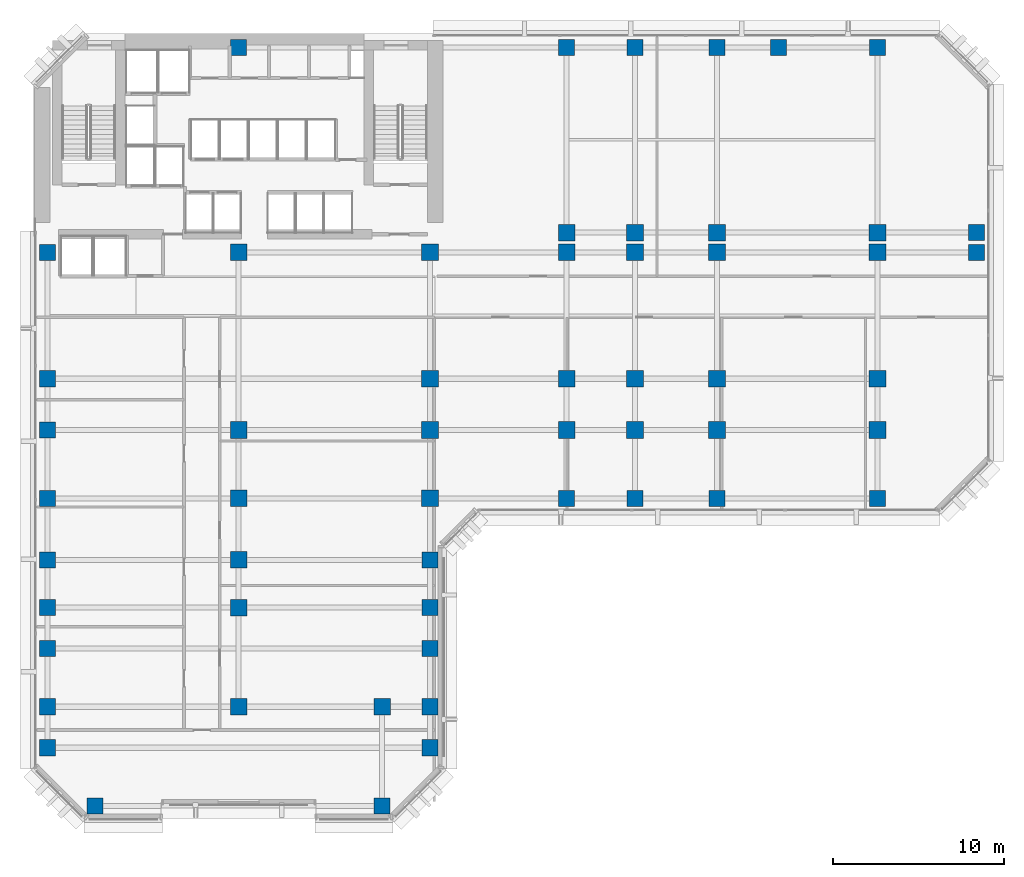
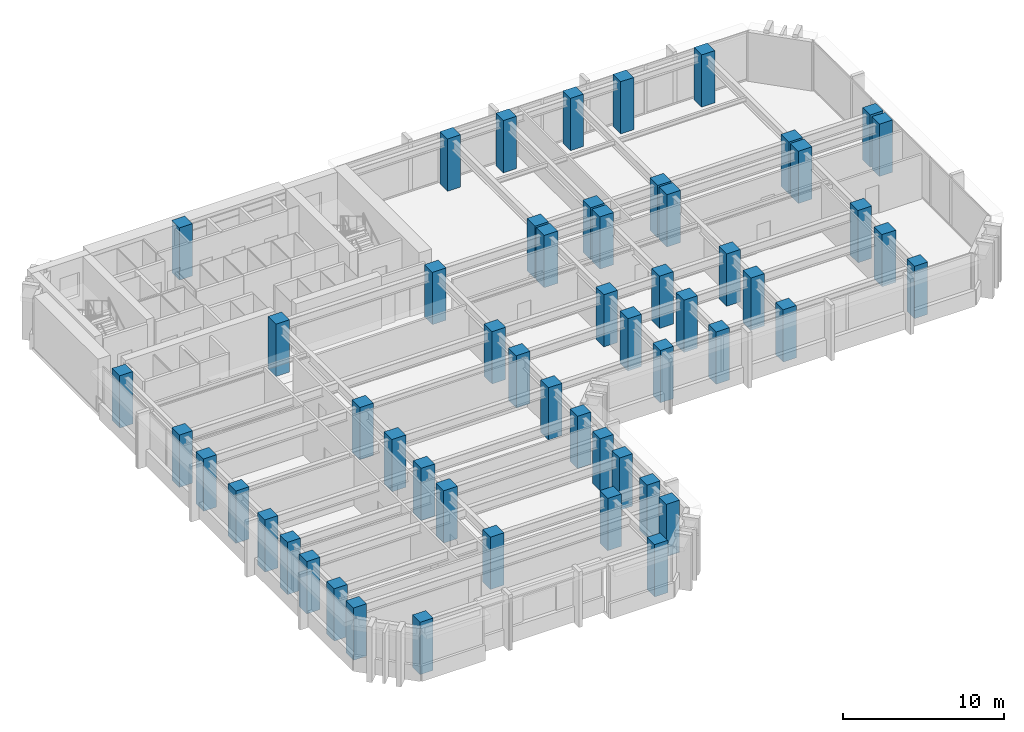
# One storey, part 1 of 14: 55 columns.
"""IFC4 building model written with IfcOpenShell, lengths in metres."""

from ifc_helpers import new_model, si_unit, direction, frame, origin, origin_2d, place, context, subcontext, project, spatial, rectangle, extrude, material, material_profile, profile_set, type_object, element, save


model = new_model("IFC4")

# Units and contexts
model_context = context("Model", 3, precision=1e-05, world=origin(), true_north=direction((0.0, 1.0)))
body_context = subcontext(model_context, "Body", "Model", "MODEL_VIEW")
ifc_project = project(units=[si_unit("LENGTHUNIT", "METRE"), si_unit("AREAUNIT", "SQUARE_METRE"), si_unit("VOLUMEUNIT", "CUBIC_METRE"), si_unit("PLANEANGLEUNIT", "RADIAN"), si_unit("MASSUNIT", "GRAM", prefix="KILO")], contexts=[model_context])

# Site, building, storey
site_placement = place(None, origin())
site = spatial("IfcSite", under=ifc_project, at=site_placement, CompositionType="ELEMENT")
building_placement = place(site_placement, origin())
building = spatial("IfcBuilding", under=site, at=building_placement, Name="Kefirva Bronze Tower", CompositionType="ELEMENT")
storey_placement = place(building_placement, frame((0.0, 0.0, 50.159912109375)))
storey = spatial("IfcBuildingStorey", under=building, at=storey_placement, Name="L11", CompositionType="ELEMENT", Elevation=50.159912109375)

# Columns
ifc_material = material(Name="Concrete C60/75", Category="concrete")
ifc_material_profile_1 = material_profile(ifc_material, rectangle(XDim=0.93994140625, YDim=0.93994140625, at=origin_2d()), Name="RC 940x940")
ifc_profile_set_1 = profile_set([ifc_material_profile_1], Name="Concrete C60/75")
column_type_1 = type_object("IfcColumnType", Name="RC Column 940x940 Ext", PredefinedType="COLUMN", material=ifc_profile_set_1)
for number, where, z_axis, x_axis, name in (
    (1, (0.800048828125, 4.199951171875, 0.0), (0.0, 0.0, 1.0), (1.0, 0.0, 0.0), "L11 Column C008_042"),
    (2, (0.800048828125, 6.60009765625, 0.0), (0.0, 0.0, 1.0), (1.0, 0.0, 0.0), "L11 Column C008_066"),
    (3, (0.800048828125, 10.0, 0.0), (0.0, 0.0, 1.0), (1.0, 0.0, 0.0), "L11 Column C008_100"),
    (4, (0.800048828125, 12.39990234375, 0.0), (0.0, 0.0, 1.0), (1.0, 0.0, 0.0), "L11 Column C008_124"),
    (5, (0.800048828125, 15.199951171875, 0.0), (0.0, 0.0, 1.0), (1.0, 0.0, 0.0), "L11 Column C008_152"),
    (6, (0.800048828125, 18.800048828125, 0.0), (0.0, 0.0, 1.0), (1.0, 0.0, 0.0), "L11 Column C008_188"),
    (7, (0.800048828125, 22.800048828125, 0.0), (0.0, 0.0, 1.0), (1.0, 0.0, 0.0), "L11 Column C008_228"),
    (8, (0.800048828125, 25.800048828125, 0.0), (0.0, 0.0, 1.0), (1.0, 0.0, 0.0), "L11 Column C008_258"),
    (9, (0.800048828125, 33.199951171875, 0.0), (0.0, 0.0, 1.0), (1.0, 0.0, 0.0), "L11 Column C008_332"),
    (10, (3.60009765625, 0.800048828125, 0.0), (0.0, 0.0, 1.0), (1.0, 0.0, 0.0), "L11 Column C036_008"),
    (11, (12.0, 45.199951171875, 0.0), (0.0, 0.0, 1.0), (1.0, 0.0, 0.0), "L11 Column C120_452"),
    (12, (20.39990234375, 0.800048828125, 0.0), (0.0, 0.0, 1.0), (1.0, 0.0, 0.0), "L11 Column C204_008"),
    (13, (23.199951171875, 4.199951171875, 0.0), (0.0, 0.0, 1.0), (1.0, 0.0, 0.0), "L11 Column C232_042"),
    (14, (23.199951171875, 6.60009765625, 0.0), (0.0, 0.0, 1.0), (1.0, 0.0, 0.0), "L11 Column C232_066"),
    (15, (23.199951171875, 10.0, 0.0), (0.0, 0.0, 1.0), (1.0, 0.0, 0.0), "L11 Column C232_100"),
    (16, (23.199951171875, 12.39990234375, 0.0), (0.0, 0.0, 1.0), (1.0, 0.0, 0.0), "L11 Column C232_124"),
    (17, (23.199951171875, 15.199951171875, 0.0), (0.0, 0.0, 1.0), (1.0, 0.0, 0.0), "L11 Column C232_152"),
    (18, (31.199951171875, 18.800048828125, 0.0), (0.0, 0.0, 1.0), (1.0, 0.0, 0.0), "L11 Column C312_188"),
    (19, (31.199951171875, 45.199951171875, 0.0), (0.0, 0.0, 1.0), (1.0, 0.0, 0.0), "L11 Column C312_452"),
    (20, (35.199951171875, 18.800048828125, 0.0), (0.0, 0.0, 1.0), (1.0, 0.0, 0.0), "L11 Column C352_188"),
    (21, (35.199951171875, 45.199951171875, 0.0), (0.0, 0.0, 1.0), (1.0, 0.0, 0.0), "L11 Column C352_452"),
    (22, (40.0, 18.800048828125, 0.0), (0.0, 0.0, 1.0), (1.0, 0.0, 0.0), "L11 Column C400_188"),
    (23, (40.0, 45.199951171875, 0.0), (0.0, 0.0, 1.0), (1.0, 0.0, 0.0), "L11 Column C400_452"),
    (24, (43.60009765625, 45.199951171875, 0.0), (0.0, 0.0, 1.0), (1.0, 0.0, 0.0), "L11 Column C436_452"),
    (25, (49.39990234375, 18.800048828125, 0.0), (0.0, 0.0, 1.0), (1.0, 0.0, 0.0), "L11 Column C494_188"),
    (26, (49.39990234375, 45.199951171875, 0.0), (0.0, 0.0, 1.0), (1.0, 0.0, 0.0), "L11 Column C494_452"),
    (27, (55.199951171875, 33.199951171875, 0.0), (0.0, 0.0, 1.0), (1.0, 0.0, 0.0), "L11 Column C552_332"),
    (28, (55.199951171875, 34.35009765625, 0.0), (0.0, 0.0, 1.0), (1.0, 0.0, 0.0), "L11 Column C552_344"),
):
    element("IfcColumn", number, at=place(storey_placement, frame(where, z_axis=z_axis, x_axis=x_axis)), inside=storey, type_object=column_type_1, Name=name, PredefinedType="COLUMN", context=body_context, shape_type="SweptSolid", body=[
        extrude(rectangle(XDim=0.93994140625, YDim=0.93994140625, at=origin_2d()), origin(), (0.0, 0.0, 1.0), 3.960205078125),
    ])
ifc_material_profile_2 = material_profile(ifc_material, rectangle(XDim=0.97998046875, YDim=0.97998046875, at=origin_2d()), Name="RC 980x980")
ifc_profile_set_2 = profile_set([ifc_material_profile_2], Name="Concrete C60/75")
column_type_2 = type_object("IfcColumnType", Name="RC Column 980x980 Int", PredefinedType="COLUMN", material=ifc_profile_set_2)
for number, where, z_axis, x_axis, name in (
    (29, (12.0, 6.60009765625, 0.0), (0.0, 0.0, 1.0), (1.0, 0.0, 0.0), "L11 Column C120_066"),
    (30, (12.0, 12.39990234375, 0.0), (0.0, 0.0, 1.0), (1.0, 0.0, 0.0), "L11 Column C120_124"),
    (31, (12.0, 15.199951171875, 0.0), (0.0, 0.0, 1.0), (1.0, 0.0, 0.0), "L11 Column C120_152"),
    (32, (12.0, 18.800048828125, 0.0), (0.0, 0.0, 1.0), (1.0, 0.0, 0.0), "L11 Column C120_188"),
    (33, (12.0, 22.800048828125, 0.0), (0.0, 0.0, 1.0), (1.0, 0.0, 0.0), "L11 Column C120_228"),
    (34, (12.0, 33.199951171875, 0.0), (0.0, 0.0, 1.0), (1.0, 0.0, 0.0), "L11 Column C120_332"),
    (35, (20.39990234375, 6.60009765625, 0.0), (0.0, 0.0, 1.0), (1.0, 0.0, 0.0), "L11 Column C204_066"),
    (36, (23.199951171875, 18.800048828125, 0.0), (0.0, 0.0, 1.0), (1.0, 0.0, 0.0), "L11 Column C232_188"),
    (37, (23.199951171875, 22.800048828125, 0.0), (0.0, 0.0, 1.0), (1.0, 0.0, 0.0), "L11 Column C232_228"),
    (38, (23.199951171875, 25.800048828125, 0.0), (0.0, 0.0, 1.0), (1.0, 0.0, 0.0), "L11 Column C232_258"),
    (39, (23.199951171875, 33.199951171875, 0.0), (0.0, 0.0, 1.0), (1.0, 0.0, 0.0), "L11 Column C232_332"),
    (40, (31.199951171875, 22.800048828125, 0.0), (0.0, 0.0, 1.0), (1.0, 0.0, 0.0), "L11 Column C312_228"),
    (41, (31.199951171875, 25.800048828125, 0.0), (0.0, 0.0, 1.0), (1.0, 0.0, 0.0), "L11 Column C312_258"),
    (42, (31.199951171875, 33.199951171875, 0.0), (0.0, 0.0, 1.0), (1.0, 0.0, 0.0), "L11 Column C312_332"),
    (43, (31.199951171875, 34.35009765625, 0.0), (0.0, 0.0, 1.0), (1.0, 0.0, 0.0), "L11 Column C312_344"),
    (44, (35.199951171875, 22.800048828125, 0.0), (0.0, 0.0, 1.0), (1.0, 0.0, 0.0), "L11 Column C352_228"),
    (45, (35.199951171875, 25.800048828125, 0.0), (0.0, 0.0, 1.0), (1.0, 0.0, 0.0), "L11 Column C352_258"),
    (46, (35.199951171875, 33.199951171875, 0.0), (0.0, 0.0, 1.0), (1.0, 0.0, 0.0), "L11 Column C352_332"),
    (47, (35.199951171875, 34.35009765625, 0.0), (0.0, 0.0, 1.0), (1.0, 0.0, 0.0), "L11 Column C352_344"),
    (48, (40.0, 22.800048828125, 0.0), (0.0, 0.0, 1.0), (1.0, 0.0, 0.0), "L11 Column C400_228"),
    (49, (40.0, 25.800048828125, 0.0), (0.0, 0.0, 1.0), (1.0, 0.0, 0.0), "L11 Column C400_258"),
    (50, (40.0, 33.199951171875, 0.0), (0.0, 0.0, 1.0), (1.0, 0.0, 0.0), "L11 Column C400_332"),
    (51, (40.0, 34.35009765625, 0.0), (0.0, 0.0, 1.0), (1.0, 0.0, 0.0), "L11 Column C400_344"),
    (52, (49.39990234375, 22.800048828125, 0.0), (0.0, 0.0, 1.0), (1.0, 0.0, 0.0), "L11 Column C494_228"),
    (53, (49.39990234375, 25.800048828125, 0.0), (0.0, 0.0, 1.0), (1.0, 0.0, 0.0), "L11 Column C494_258"),
    (54, (49.39990234375, 33.199951171875, 0.0), (0.0, 0.0, 1.0), (1.0, 0.0, 0.0), "L11 Column C494_332"),
    (55, (49.39990234375, 34.35009765625, 0.0), (0.0, 0.0, 1.0), (1.0, 0.0, 0.0), "L11 Column C494_344"),
):
    element("IfcColumn", number, at=place(storey_placement, frame(where, z_axis=z_axis, x_axis=x_axis)), inside=storey, type_object=column_type_2, Name=name, PredefinedType="COLUMN", context=body_context, shape_type="SweptSolid", body=[
        extrude(rectangle(XDim=0.97998046875, YDim=0.97998046875, at=origin_2d()), origin(), (0.0, 0.0, 1.0), 3.960205078125),
    ])

save(model, "model.ifc")
